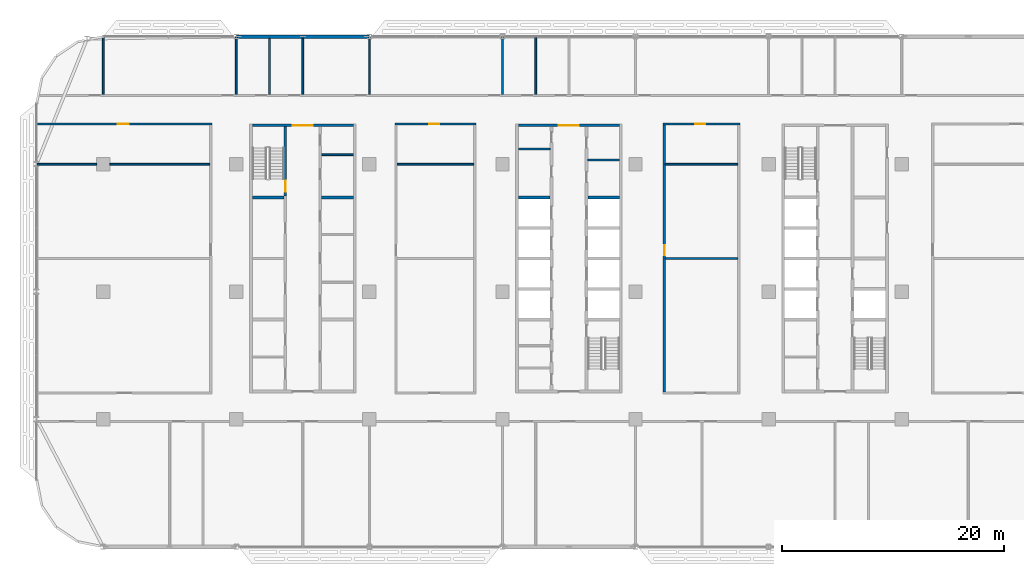
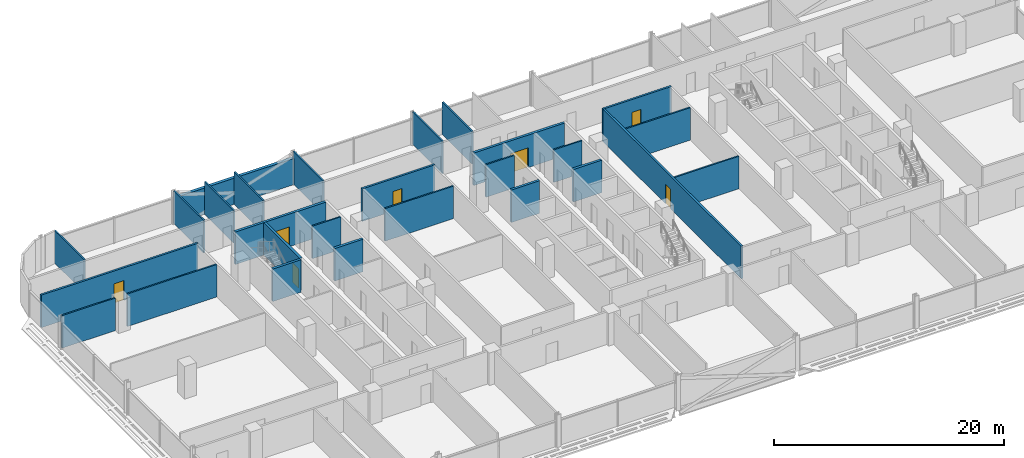
# One storey, part 13 of 27: 27 walls, 7 doors, 7 openings.
"""IFC4 building model written with IfcOpenShell, lengths in metres."""

from ifc_helpers import new_model, si_unit, direction, frame, frame_2d, origin, place, context, subcontext, project, spatial, rectangle, extrude, material, layer, layer_set, type_object, element, fill, save


model = new_model("IFC4")

# Units and contexts
model_context = context("Model", 3, precision=1e-05, world=origin(), true_north=direction((0.0, 1.0)))
body_context = subcontext(model_context, "Body", "Model", "MODEL_VIEW")
ifc_project = project(units=[si_unit("LENGTHUNIT", "METRE"), si_unit("AREAUNIT", "SQUARE_METRE"), si_unit("VOLUMEUNIT", "CUBIC_METRE"), si_unit("PLANEANGLEUNIT", "RADIAN"), si_unit("MASSUNIT", "GRAM", prefix="KILO")], contexts=[model_context])

# Site, building, storey
site_placement = place(None, origin())
site = spatial("IfcSite", under=ifc_project, at=site_placement, CompositionType="ELEMENT")
building_placement = place(site_placement, origin())
building = spatial("IfcBuilding", under=site, at=building_placement, Name="Mahtab Terrace Research Tower", CompositionType="ELEMENT")
storey_placement = place(building_placement, frame((0.0, 0.0, 163.0)))
storey = spatial("IfcBuildingStorey", under=building, at=storey_placement, Name="L38", CompositionType="ELEMENT", Elevation=163.0)

# Walls
ifc_material_1 = material(Name="Gypsum board partition")
ifc_layer_1 = layer(ifc_material_1, 0.14990234375)
ifc_layer_set_1 = layer_set([ifc_layer_1], Name="Core partition 150")
wall_type_1 = type_object("IfcWallType", Name="Core partition 150", PredefinedType="PARTITIONING", material=ifc_layer_set_1)
for number, where, z_axis, x_axis, name in (
    (1, (-22.300048828125, 12.35498046875, 0.0), (0.0, 0.0, 1.0), (1.0, 0.0, 0.0), "Core wall A pEN936"),
    (2, (-4.550048828125, 12.875, 0.0), (0.0, 0.0, 1.0), (1.0, 0.0, 0.0), "Core wall B pWN988"),
    (3, (1.699951171875, 11.875, 0.0), (0.0, 0.0, 1.0), (1.0, 0.0, 0.0), "Core wall B pEN888"),
):
    element("IfcWall", number, at=place(storey_placement, frame(where, z_axis=z_axis, x_axis=x_axis)), inside=storey, type_object=wall_type_1, Name=name, PredefinedType="PARTITIONING", context=body_context, shape_type="SweptSolid", body=[
        extrude(rectangle(XDim=2.85009765625, YDim=0.14990234375, at=frame_2d((1.425048828125, 0.0))), origin(), (0.0, 0.0, 1.0), 3.4599609375),
    ])

# Wall, opening, door
ifc_material_2 = material(Name="Concrete C70/85", Category="concrete")
ifc_layer_2 = layer(ifc_material_2, 0.25)
ifc_layer_set_2 = layer_set([ifc_layer_2], Name="Core wall 250")
wall_type_2 = type_object("IfcWallType", Name="Core wall 250", PredefinedType="SOLIDWALL", material=ifc_layer_set_2)
wall_1_placement = place(storey_placement, frame((-28.550048828125, 15.0, 0.0), z_axis=(0.0, 0.0, 1.0), x_axis=(1.0, 0.0, 0.0)))
wall_1 = element("IfcWall", 4, at=wall_1_placement, inside=storey, type_object=wall_type_2, Name="Core wall A endN", PredefinedType="SOLIDWALL", context=body_context, shape_type="SweptSolid", body=[
    extrude(rectangle(XDim=9.10009765625, YDim=0.25, at=frame_2d((4.550048828125, 0.0))), origin(), (0.0, 0.0, 1.0), 3.4599609375),
])
opening_1_placement = place(wall_1_placement, frame((3.64990234375, 0.0, 0.0)))
opening_1 = element("IfcOpeningElement", 5, at=opening_1_placement, cuts=wall_1, Name="Opening A-N1", PredefinedType="OPENING", context=body_context, shape_type="SweptSolid", body=[
    extrude(rectangle(XDim=1.800048828125, YDim=2.10009765625, at=frame_2d((0.89990234375, 1.050048828125))), frame((0.0, 0.135009765625, 0.0), z_axis=(0.0, -1.0, 0.0), x_axis=(1.0, 0.0, 0.0)), (0.0, 0.0, 1.0), 0.27001953125),
])
ifc_material_3 = material(Name="Steel fire door", Category="steel")
door_type_1 = type_object("IfcDoorType", Name="Lobby double door 1800x2100 1 HR", OperationType="DOUBLE_DOOR_SINGLE_SWING", PredefinedType="DOOR", material=ifc_material_3)
door_1_placement = place(opening_1_placement, origin())
door_1 = element("IfcDoor", 6, at=door_1_placement, inside=storey, type_object=door_type_1, Name="Core entrance door A N", OperationType="DOUBLE_DOOR_SINGLE_SWING", OverallHeight=2.10009765625, OverallWidth=1.800048828125, PredefinedType="DOOR", context=body_context, shape_type="SweptSolid", body=[
    extrude(rectangle(XDim=1.800048828125, YDim=2.10009765625, at=frame_2d((0.89990234375, 1.050048828125))), frame((0.0, 0.02490234375, 0.0), z_axis=(0.0, -1.0, 0.0), x_axis=(1.0, 0.0, 0.0)), (0.0, 0.0, 1.0), 0.050048828125),
])
fill(opening_1, door_1)

wall_2_placement = place(storey_placement, frame((-25.574951171875, 14.875, 0.0), z_axis=(0.0, 0.0, 1.0), x_axis=(0.0, -1.0, 0.0)))
wall_2 = element("IfcWall", 7, at=wall_2_placement, inside=storey, type_object=wall_type_2, Name="Core wall A innerWN", PredefinedType="SOLIDWALL", context=body_context, shape_type="SweptSolid", body=[
    extrude(rectangle(XDim=6.25, YDim=0.25, at=frame_2d((3.125, 0.0))), origin(), (0.0, 0.0, 1.0), 3.4599609375),
])
opening_2_placement = place(wall_2_placement, frame((4.85009765625, 0.0, 0.0)))
opening_2 = element("IfcOpeningElement", 8, at=opening_2_placement, cuts=wall_2, Name="Opening A-ST1", PredefinedType="OPENING", context=body_context, shape_type="SweptSolid", body=[
    extrude(rectangle(XDim=1.0, YDim=2.10009765625, at=frame_2d((0.5, 1.050048828125))), frame((0.0, 0.135009765625, 0.0), z_axis=(0.0, -1.0, 0.0), x_axis=(1.0, 0.0, 0.0)), (0.0, 0.0, 1.0), 0.27001953125),
])
door_type_2 = type_object("IfcDoorType", Name="Stair door 1000x2100 1.5 HR", OperationType="NOTDEFINED", PredefinedType="DOOR", material=ifc_material_3)
door_2_placement = place(opening_2_placement, origin())
door_2 = element("IfcDoor", 9, at=door_2_placement, inside=storey, type_object=door_type_2, Name="Stair door ST1 L38", OperationType="SINGLE_SWING_LEFT", OverallHeight=2.10009765625, OverallWidth=1.0, PredefinedType="DOOR", context=body_context, shape_type="SweptSolid", body=[
    extrude(rectangle(XDim=1.0, YDim=2.10009765625, at=frame_2d((0.5, 1.050048828125))), frame((0.0, 0.02490234375, 0.0), z_axis=(0.0, -1.0, 0.0), x_axis=(1.0, 0.0, 0.0)), (0.0, 0.0, 1.0), 0.050048828125),
])
fill(opening_2, door_2)

# Walls
for number, where, z_axis, x_axis, name in (
    (10, (-28.550048828125, 8.5, 0.0), (0.0, 0.0, 1.0), (1.0, 0.0, 0.0), "Core wall A divW4"),
    (11, (-22.300048828125, 8.5, 0.0), (0.0, 0.0, 1.0), (1.0, 0.0, 0.0), "Core wall A divE4"),
):
    element("IfcWall", number, at=place(storey_placement, frame(where, z_axis=z_axis, x_axis=x_axis)), inside=storey, type_object=wall_type_2, Name=name, PredefinedType="SOLIDWALL", context=body_context, shape_type="SweptSolid", body=[
        extrude(rectangle(XDim=2.85009765625, YDim=0.25, at=frame_2d((1.425048828125, 0.0))), origin(), (0.0, 0.0, 1.0), 3.4599609375),
    ])

# Wall, opening, door
wall_3_placement = place(storey_placement, frame((-4.550048828125, 15.0, 0.0), z_axis=(0.0, 0.0, 1.0), x_axis=(1.0, 0.0, 0.0)))
wall_3 = element("IfcWall", 12, at=wall_3_placement, inside=storey, type_object=wall_type_2, Name="Core wall B endN", PredefinedType="SOLIDWALL", context=body_context, shape_type="SweptSolid", body=[
    extrude(rectangle(XDim=9.10009765625, YDim=0.25, at=frame_2d((4.550048828125, 0.0))), origin(), (0.0, 0.0, 1.0), 3.4599609375),
])
opening_3_placement = place(wall_3_placement, frame((3.64990234375, 0.0, 0.0)))
opening_3 = element("IfcOpeningElement", 13, at=opening_3_placement, cuts=wall_3, Name="Opening B-N1", PredefinedType="OPENING", context=body_context, shape_type="SweptSolid", body=[
    extrude(rectangle(XDim=1.800048828125, YDim=2.10009765625, at=frame_2d((0.89990234375, 1.050048828125))), frame((0.0, 0.135009765625, 0.0), z_axis=(0.0, -1.0, 0.0), x_axis=(1.0, 0.0, 0.0)), (0.0, 0.0, 1.0), 0.27001953125),
])
door_3_placement = place(opening_3_placement, origin())
door_3 = element("IfcDoor", 14, at=door_3_placement, inside=storey, type_object=door_type_1, Name="Core entrance door B N", OperationType="DOUBLE_DOOR_SINGLE_SWING", OverallHeight=2.10009765625, OverallWidth=1.800048828125, PredefinedType="DOOR", context=body_context, shape_type="SweptSolid", body=[
    extrude(rectangle(XDim=1.800048828125, YDim=2.10009765625, at=frame_2d((0.89990234375, 1.050048828125))), frame((0.0, 0.02490234375, 0.0), z_axis=(0.0, -1.0, 0.0), x_axis=(1.0, 0.0, 0.0)), (0.0, 0.0, 1.0), 0.050048828125),
])
fill(opening_3, door_3)

# Walls
for number, where, z_axis, x_axis, name in (
    (15, (-4.550048828125, 8.5, 0.0), (0.0, 0.0, 1.0), (1.0, 0.0, 0.0), "Core wall B divW4"),
    (16, (1.699951171875, 8.5, 0.0), (0.0, 0.0, 1.0), (1.0, 0.0, 0.0), "Core wall B divE4"),
):
    element("IfcWall", number, at=place(storey_placement, frame(where, z_axis=z_axis, x_axis=x_axis)), inside=storey, type_object=wall_type_2, Name=name, PredefinedType="SOLIDWALL", context=body_context, shape_type="SweptSolid", body=[
        extrude(rectangle(XDim=2.85009765625, YDim=0.25, at=frame_2d((1.425048828125, 0.0))), origin(), (0.0, 0.0, 1.0), 3.4599609375),
    ])
ifc_material_4 = material(Name="Black aluminium cladding panel", Category="aluminium")
ifc_layer_3 = layer(ifc_material_4, 0.300048828125)
ifc_layer_set_3 = layer_set([ifc_layer_3], Name="Opaque facade wall 300")
wall_type_3 = type_object("IfcWallType", Name="Opaque facade wall 300", PredefinedType="NOTDEFINED", material=ifc_layer_set_3)
wall_4_placement = place(storey_placement, frame((-18.014892578125, 23.0, 0.0), z_axis=(0.0, 0.0, 1.0), x_axis=(-1.0, 0.0, 0.0)))
element("IfcWall", 17, at=wall_4_placement, inside=storey, type_object=wall_type_3, Name="Opaque facade wall L38 N8", PredefinedType="NOTDEFINED", context=body_context, shape_type="SweptSolid", body=[
    extrude(rectangle(XDim=11.97021484375, YDim=0.300048828125, at=frame_2d((5.985107421875, 0.0))), origin(), (0.0, 0.0, 1.0), 2.78173828125),
])

# Wall, opening, door
ifc_material_5 = material(Name="Gypsum board corridor wall on steel studs", Category="steel")
ifc_layer_4 = layer(ifc_material_5, 0.199951171875)
ifc_layer_set_4 = layer_set([ifc_layer_4], Name="WALL CORRIDOR 200")
wall_type_4 = type_object("IfcWallType", Name="WALL CORRIDOR 200", PredefinedType="PARTITIONING", material=ifc_layer_set_4)
wall_5_placement = place(storey_placement, frame((-47.97509765625, 15.125, 0.0), z_axis=(0.0, 0.0, 1.0), x_axis=(1.0, 0.0, 0.0)))
wall_5 = element("IfcWall", 18, at=wall_5_placement, inside=storey, type_object=wall_type_4, Name="L38-W024", PredefinedType="PARTITIONING", context=body_context, shape_type="SweptSolid", body=[
    extrude(rectangle(XDim=15.775146484375, YDim=0.199951171875, at=frame_2d((7.8876953125, 0.0))), origin(), (0.0, 0.0, 1.0), 3.4599609375),
])
opening_4_placement = place(wall_5_placement, frame((7.300048828125, 0.0, 0.0)))
opening_4 = element("IfcOpeningElement", 19, at=opening_4_placement, cuts=wall_5, Name="Opening L38-122", PredefinedType="OPENING", context=body_context, shape_type="SweptSolid", body=[
    extrude(rectangle(XDim=1.0, YDim=2.10009765625, at=frame_2d((0.5, 1.050048828125))), frame((0.0, 0.10986328125, 0.0), z_axis=(0.0, -1.0, 0.0), x_axis=(1.0, 0.0, 0.0)), (0.0, 0.0, 1.0), 0.219970703125),
])
ifc_material_6 = material(Name="Timber door leaf in steel frame", Category="steel")
door_type_3 = type_object("IfcDoorType", Name="DOOR 1000X2100 FD30S", OperationType="SINGLE_SWING_LEFT", PredefinedType="DOOR", material=ifc_material_6)
door_4_placement = place(opening_4_placement, origin())
door_4 = element("IfcDoor", 20, at=door_4_placement, inside=storey, type_object=door_type_3, Name="Door L38-122", OperationType="SINGLE_SWING_RIGHT", OverallHeight=2.10009765625, OverallWidth=1.0, PredefinedType="DOOR", context=body_context, shape_type="SweptSolid", body=[
    extrude(rectangle(XDim=1.0, YDim=2.10009765625, at=frame_2d((0.5, 1.050048828125))), frame((0.0, 0.02490234375, 0.0), z_axis=(0.0, -1.0, 0.0), x_axis=(1.0, 0.0, 0.0)), (0.0, 0.0, 1.0), 0.050048828125),
])
fill(opening_4, door_4)

wall_6_placement = place(storey_placement, frame((-15.699951171875, 15.125, 0.0), z_axis=(0.0, 0.0, 1.0), x_axis=(1.0, 0.0, 0.0)))
wall_6 = element("IfcWall", 21, at=wall_6_placement, inside=storey, type_object=wall_type_4, Name="L38-W025", PredefinedType="PARTITIONING", context=body_context, shape_type="SweptSolid", body=[
    extrude(rectangle(XDim=7.300048828125, YDim=0.199951171875, at=frame_2d((3.64990234375, 0.0))), origin(), (0.0, 0.0, 1.0), 3.4599609375),
])
opening_5_placement = place(wall_6_placement, frame((3.10009765625, 0.0, 0.0)))
opening_5 = element("IfcOpeningElement", 22, at=opening_5_placement, cuts=wall_6, Name="Opening L38-123", PredefinedType="OPENING", context=body_context, shape_type="SweptSolid", body=[
    extrude(rectangle(XDim=0.89990234375, YDim=2.10009765625, at=frame_2d((0.449951171875, 1.050048828125))), frame((0.0, 0.10986328125, 0.0), z_axis=(0.0, -1.0, 0.0), x_axis=(1.0, 0.0, 0.0)), (0.0, 0.0, 1.0), 0.219970703125),
])
door_type_4 = type_object("IfcDoorType", Name="DOOR 0900X2100 FD30S", OperationType="SINGLE_SWING_LEFT", PredefinedType="DOOR", material=ifc_material_6)
door_5_placement = place(opening_5_placement, origin())
door_5 = element("IfcDoor", 23, at=door_5_placement, inside=storey, type_object=door_type_4, Name="Door L38-123", OperationType="SINGLE_SWING_RIGHT", OverallHeight=2.10009765625, OverallWidth=0.89990234375, PredefinedType="DOOR", context=body_context, shape_type="SweptSolid", body=[
    extrude(rectangle(XDim=0.89990234375, YDim=2.10009765625, at=frame_2d((0.449951171875, 1.050048828125))), frame((0.0, 0.02490234375, 0.0), z_axis=(0.0, -1.0, 0.0), x_axis=(1.0, 0.0, 0.0)), (0.0, 0.0, 1.0), 0.050048828125),
])
fill(opening_5, door_5)

wall_7_placement = place(storey_placement, frame((8.5, 15.125, 0.0), z_axis=(0.0, 0.0, 1.0), x_axis=(1.0, 0.0, 0.0)))
wall_7 = element("IfcWall", 24, at=wall_7_placement, inside=storey, type_object=wall_type_4, Name="L38-W026", PredefinedType="PARTITIONING", context=body_context, shape_type="SweptSolid", body=[
    extrude(rectangle(XDim=6.89990234375, YDim=0.199951171875, at=frame_2d((3.449951171875, 0.0))), origin(), (0.0, 0.0, 1.0), 3.4599609375),
])
opening_6_placement = place(wall_7_placement, frame((2.89990234375, 0.0, 0.0)))
opening_6 = element("IfcOpeningElement", 25, at=opening_6_placement, cuts=wall_7, Name="Opening L38-124", PredefinedType="OPENING", context=body_context, shape_type="SweptSolid", body=[
    extrude(rectangle(XDim=0.89990234375, YDim=2.10009765625, at=frame_2d((0.449951171875, 1.050048828125))), frame((0.0, 0.10986328125, 0.0), z_axis=(0.0, -1.0, 0.0), x_axis=(1.0, 0.0, 0.0)), (0.0, 0.0, 1.0), 0.219970703125),
])
door_6_placement = place(opening_6_placement, origin())
door_6 = element("IfcDoor", 26, at=door_6_placement, inside=storey, type_object=door_type_4, Name="Door L38-124", OperationType="SINGLE_SWING_RIGHT", OverallHeight=2.10009765625, OverallWidth=0.89990234375, PredefinedType="DOOR", context=body_context, shape_type="SweptSolid", body=[
    extrude(rectangle(XDim=0.89990234375, YDim=2.10009765625, at=frame_2d((0.449951171875, 1.050048828125))), frame((0.0, 0.02490234375, 0.0), z_axis=(0.0, -1.0, 0.0), x_axis=(1.0, 0.0, 0.0)), (0.0, 0.0, 1.0), 0.050048828125),
])
fill(opening_6, door_6)

wall_8_placement = place(storey_placement, frame((8.60009765625, -9.02490234375, 0.0), z_axis=(0.0, 0.0, 1.0), x_axis=(0.0, 1.0, 0.0)))
wall_8 = element("IfcWall", 27, at=wall_8_placement, inside=storey, type_object=wall_type_4, Name="L38-W048", PredefinedType="PARTITIONING", context=body_context, shape_type="SweptSolid", body=[
    extrude(rectangle(XDim=24.0498046875, YDim=0.199951171875, at=frame_2d((12.02490234375, 0.0))), origin(), (0.0, 0.0, 1.0), 3.4599609375),
])
opening_7_placement = place(wall_8_placement, frame((12.300048828125, 0.0, 0.0)))
opening_7 = element("IfcOpeningElement", 28, at=opening_7_placement, cuts=wall_8, Name="Opening L38-120", PredefinedType="OPENING", context=body_context, shape_type="SweptSolid", body=[
    extrude(rectangle(XDim=0.89990234375, YDim=2.10009765625, at=frame_2d((0.449951171875, 1.050048828125))), frame((0.0, 0.10986328125, 0.0), z_axis=(0.0, -1.0, 0.0), x_axis=(1.0, 0.0, 0.0)), (0.0, 0.0, 1.0), 0.219970703125),
])
door_7_placement = place(opening_7_placement, origin())
door_7 = element("IfcDoor", 29, at=door_7_placement, inside=storey, type_object=door_type_4, Name="Door L38-120", OperationType="SINGLE_SWING_LEFT", OverallHeight=2.10009765625, OverallWidth=0.89990234375, PredefinedType="DOOR", context=body_context, shape_type="SweptSolid", body=[
    extrude(rectangle(XDim=0.89990234375, YDim=2.10009765625, at=frame_2d((0.449951171875, 1.050048828125))), frame((0.0, 0.02490234375, 0.0), z_axis=(0.0, -1.0, 0.0), x_axis=(1.0, 0.0, 0.0)), (0.0, 0.0, 1.0), 0.050048828125),
])
fill(opening_7, door_7)

# Walls
ifc_material_7 = material(Name="Gypsum board partition on steel studs", Category="steel")
ifc_layer_5 = layer(ifc_material_7, 0.14990234375)
ifc_layer_set_5 = layer_set([ifc_layer_5], Name="WALL PARTITION 150")
wall_type_5 = type_object("IfcWallType", Name="WALL PARTITION 150", PredefinedType="PARTITIONING", material=ifc_layer_set_5)
wall_9_placement = place(storey_placement, frame((8.699951171875, 3.0, 0.0), z_axis=(0.0, 0.0, 1.0), x_axis=(1.0, 0.0, 0.0)))
element("IfcWall", 30, at=wall_9_placement, inside=storey, type_object=wall_type_5, Name="L38-W016", PredefinedType="PARTITIONING", context=body_context, shape_type="SweptSolid", body=[
    extrude(rectangle(XDim=6.5, YDim=0.14990234375, at=frame_2d((3.25, 0.0))), origin(), (0.0, 0.0, 1.0), 3.4599609375),
])
wall_10_placement = place(storey_placement, frame((-47.97509765625, 11.5, 0.0), z_axis=(0.0, 0.0, 1.0), x_axis=(1.0, 0.0, 0.0)))
element("IfcWall", 31, at=wall_10_placement, inside=storey, type_object=wall_type_5, Name="L38-W018", PredefinedType="PARTITIONING", context=body_context, shape_type="SweptSolid", body=[
    extrude(rectangle(XDim=5.375, YDim=0.14990234375, at=frame_2d((2.6875, 0.0))), origin(), (0.0, 0.0, 1.0), 3.4599609375),
])
wall_11_placement = place(storey_placement, frame((-41.39990234375, 11.5, 0.0), z_axis=(0.0, 0.0, 1.0), x_axis=(1.0, 0.0, 0.0)))
element("IfcWall", 32, at=wall_11_placement, inside=storey, type_object=wall_type_5, Name="L38-W019", PredefinedType="PARTITIONING", context=body_context, shape_type="SweptSolid", body=[
    extrude(rectangle(XDim=9.0, YDim=0.14990234375, at=frame_2d((4.5, 0.0))), origin(), (0.0, 0.0, 1.0), 3.4599609375),
])
wall_12_placement = place(storey_placement, frame((-15.5, 11.5, 0.0), z_axis=(0.0, 0.0, 1.0), x_axis=(1.0, 0.0, 0.0)))
element("IfcWall", 33, at=wall_12_placement, inside=storey, type_object=wall_type_5, Name="L38-W020", PredefinedType="PARTITIONING", context=body_context, shape_type="SweptSolid", body=[
    extrude(rectangle(XDim=6.89990234375, YDim=0.14990234375, at=frame_2d((3.449951171875, 0.0))), origin(), (0.0, 0.0, 1.0), 3.4599609375),
])
wall_13_placement = place(storey_placement, frame((8.699951171875, 11.5, 0.0), z_axis=(0.0, 0.0, 1.0), x_axis=(1.0, 0.0, 0.0)))
element("IfcWall", 34, at=wall_13_placement, inside=storey, type_object=wall_type_5, Name="L38-W021", PredefinedType="PARTITIONING", context=body_context, shape_type="SweptSolid", body=[
    extrude(rectangle(XDim=6.5, YDim=0.14990234375, at=frame_2d((3.25, 0.0))), origin(), (0.0, 0.0, 1.0), 3.4599609375),
])
for number, where, z_axis, x_axis, name in (
    (35, (-42.0, 17.800048828125, 0.0), (0.0, 0.0, 1.0), (0.0, 1.0, 0.0), "L38-W029"),
    (36, (-30.0, 17.800048828125, 0.0), (0.0, 0.0, 1.0), (0.0, 1.0, 0.0), "L38-W033"),
):
    element("IfcWall", number, at=place(storey_placement, frame(where, z_axis=z_axis, x_axis=x_axis)), inside=storey, type_object=wall_type_5, Name=name, PredefinedType="PARTITIONING", context=body_context, shape_type="SweptSolid", body=[
        extrude(rectangle(XDim=5.175048828125, YDim=0.14990234375, at=frame_2d((2.58740234375, 0.0))), origin(), (0.0, 0.0, 1.0), 3.4599609375),
    ])
for number, where, z_axis, x_axis, name in (
    (37, (-27.0, 17.800048828125, 0.0), (0.0, 0.0, 1.0), (0.0, 1.0, 0.0), "L38-W034"),
    (38, (-24.0, 17.800048828125, 0.0), (0.0, 0.0, 1.0), (0.0, 1.0, 0.0), "L38-W036"),
):
    element("IfcWall", number, at=place(storey_placement, frame(where, z_axis=z_axis, x_axis=x_axis)), inside=storey, type_object=wall_type_5, Name=name, PredefinedType="PARTITIONING", context=body_context, shape_type="SweptSolid", body=[
        extrude(rectangle(XDim=5.050048828125, YDim=0.14990234375, at=frame_2d((2.52490234375, 0.0))), origin(), (0.0, 0.0, 1.0), 3.4599609375),
    ])
for number, where, z_axis, x_axis, name in (
    (39, (-18.0, 17.800048828125, 0.0), (0.0, 0.0, 1.0), (0.0, 1.0, 0.0), "L38-W038"),
    (40, (-6.0, 17.800048828125, 0.0), (0.0, 0.0, 1.0), (0.0, 1.0, 0.0), "L38-W042"),
    (41, (-3.0, 17.800048828125, 0.0), (0.0, 0.0, 1.0), (0.0, 1.0, 0.0), "L38-W044"),
):
    element("IfcWall", number, at=place(storey_placement, frame(where, z_axis=z_axis, x_axis=x_axis)), inside=storey, type_object=wall_type_5, Name=name, PredefinedType="PARTITIONING", context=body_context, shape_type="SweptSolid", body=[
        extrude(rectangle(XDim=5.175048828125, YDim=0.14990234375, at=frame_2d((2.58740234375, 0.0))), origin(), (0.0, 0.0, 1.0), 3.4599609375),
    ])

save(model, "model.ifc")
